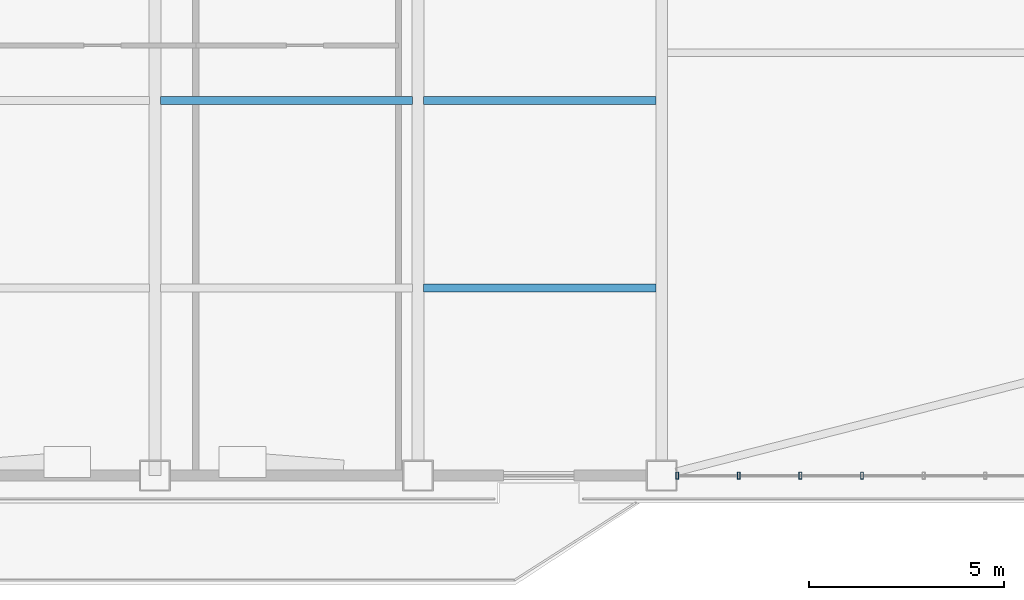
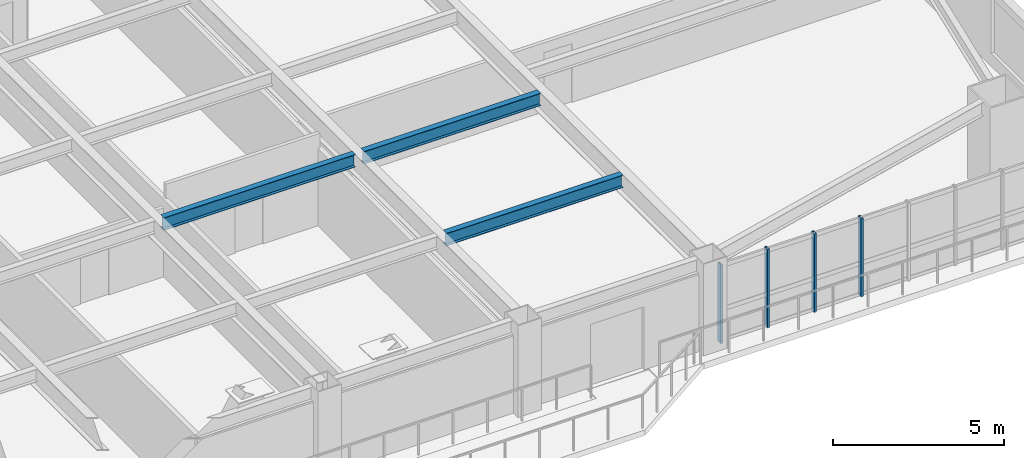
# One storey, part 4 of 15: 4 members, 3 beams, 1 element without a shape of its own.
"""IFC4 building model written with IfcOpenShell, lengths in metres."""

from ifc_helpers import new_model, si_unit, direction, frame, origin, origin_2d, place, context, subcontext, project, spatial, hollow_rectangle, i_section, extrude, source, transform, mapped, material, layer, layer_set, material_profile, profile_set, type_object, element, aggregate, save


model = new_model("IFC4")

# Units and contexts
model_context = context("Model", 3, precision=1e-05, world=origin(), true_north=direction((0.0, 1.0)))
body_context = subcontext(model_context, "Body", "Model", "MODEL_VIEW")
ifc_project = project(units=[si_unit("LENGTHUNIT", "METRE"), si_unit("AREAUNIT", "SQUARE_METRE"), si_unit("VOLUMEUNIT", "CUBIC_METRE"), si_unit("PLANEANGLEUNIT", "RADIAN"), si_unit("MASSUNIT", "GRAM", prefix="KILO")], contexts=[model_context])

# Site, building, storey
site_placement = place(None, origin())
site = spatial("IfcSite", under=ifc_project, at=site_placement, CompositionType="ELEMENT")
building_placement = place(site_placement, origin())
building = spatial("IfcBuilding", under=site, at=building_placement, Name="Giltprow Tower", CompositionType="ELEMENT")
storey_placement = place(building_placement, frame((0.0, 0.0, 152.699951171875)))
storey = spatial("IfcBuildingStorey", under=building, at=storey_placement, Name="L37", CompositionType="ELEMENT", Elevation=152.699951171875)

# Beams
ifc_material_1 = material(Name="Structural steel Q355B", Category="steel")
ifc_material_profile_1 = material_profile(ifc_material_1, i_section(OverallWidth=0.199951171875, OverallDepth=0.449951171875, WebThickness=0.009033203125, FlangeThickness=0.013916015625, at=origin_2d()), Name="HN 450x200x9x14")
ifc_profile_set_1 = profile_set([ifc_material_profile_1], Name="Structural steel Q355B")
beam_type = type_object("IfcBeamType", Name="BM-JOIST-HN450", PredefinedType="JOIST", material=ifc_profile_set_1)
shared_shape_1 = source(origin(), body_context, "Body", "SweptSolid", [
    extrude(i_section(OverallWidth=0.199951171875, OverallDepth=0.449951171875, WebThickness=0.009033203125, FlangeThickness=0.013916015625, at=origin_2d()), origin(), (0.0, 0.0, 1.0), 6.4599609375),
])
beam_placement = place(storey_placement, frame((37.695068359375, 18.197998046875, 3.045166015625), z_axis=(1.0, 0.0, 0.0), x_axis=(0.0, 1.0, 0.0)))
element("IfcBeam", 1, at=beam_placement, inside=storey, type_object=beam_type, Name="L37 Composite Floor Joist 2-3", PredefinedType="JOIST", context=body_context, shape_type="MappedRepresentation", body=[
    mapped(shared_shape_1, transform((0.0, 0.0, 0.0), x_axis=(1.0, 0.0, 0.0), y_axis=(0.0, 1.0, 0.0), z_axis=(0.0, 0.0, 1.0), scale=1.0)),
])
shared_shape_2 = source(origin(), body_context, "Body", "SweptSolid", [
    extrude(i_section(OverallWidth=0.199951171875, OverallDepth=0.449951171875, WebThickness=0.009033203125, FlangeThickness=0.013916015625, at=origin_2d()), origin(), (0.0, 0.0, 1.0), 5.9599609375),
])
for number, where, z_axis, x_axis, name in (
    (2, (44.445068359375, 13.385009765625, 3.045166015625), (1.0, 0.0, 0.0), (0.0, 1.0, 0.0), "L37 Composite Floor Joist 1-4"),
    (3, (44.445068359375, 18.197998046875, 3.045166015625), (1.0, 0.0, 0.0), (0.0, 1.0, 0.0), "L37 Composite Floor Joist 2-4"),
):
    element("IfcBeam", number, at=place(storey_placement, frame(where, z_axis=z_axis, x_axis=x_axis)), inside=storey, type_object=beam_type, Name=name, PredefinedType="JOIST", context=body_context, shape_type="MappedRepresentation", body=[
        mapped(shared_shape_2, transform((0.0, 0.0, 0.0), x_axis=(1.0, 0.0, 0.0), y_axis=(0.0, 1.0, 0.0), z_axis=(0.0, 0.0, 1.0), scale=1.0)),
    ])

# Curtain wall, members
ifc_material_2 = material(Name="Anodized bronze", Category="metal")
ifc_layer = layer(ifc_material_2, 0.179931640625, Name="Anodized bronze")
ifc_layer_set = layer_set([ifc_layer], Name="Anodized bronze")
curtain_wall_type = type_object("IfcCurtainWallType", Name="CW-HTL-BRONZE", PredefinedType="NOTDEFINED", material=ifc_layer_set)
curtain_wall_placement = place(storey_placement, origin())
curtain_wall = element("IfcCurtainWall", 4, at=curtain_wall_placement, inside=storey, type_object=curtain_wall_type, Name="L37 South Recessed Curtain Wall 6", PredefinedType="NOTDEFINED")
ifc_material_profile_2 = material_profile(ifc_material_2, hollow_rectangle(XDim=0.074951171875, YDim=0.179931640625, WallThickness=0.008056640625, at=origin_2d()), Name="RHS 180x75x8")
ifc_profile_set_2 = profile_set([ifc_material_profile_2], Name="Anodized bronze")
member_type = type_object("IfcMemberType", Name="CW-MULLION-180x75", PredefinedType="MULLION", material=ifc_profile_set_2)
shared_shape_3 = source(origin(), body_context, "Body", "SweptSolid", [
    extrude(hollow_rectangle(XDim=0.074951171875, YDim=0.179931640625, WallThickness=0.008056640625, at=origin_2d()), origin(), (0.0, 0.0, 1.0), 2.80517578125),
])
member_1_placement = place(storey_placement, frame((50.949951171875, 8.572021484375, -0.02001953125), z_axis=(0.0, 0.0, 1.0), x_axis=(1.0, 0.0, 0.0)))
member_1 = element("IfcMember", 5, at=member_1_placement, type_object=member_type, Name="L37 South Recessed Curtain Wall 6 Mullion 1", PredefinedType="MULLION", context=body_context, shape_type="MappedRepresentation", body=[
    mapped(shared_shape_3, transform((0.0, 0.0, 0.0), x_axis=(1.0, 0.0, 0.0), y_axis=(0.0, 1.0, 0.0), z_axis=(0.0, 0.0, 1.0), scale=1.0)),
])
member_2_placement = place(storey_placement, frame((52.530029296875, 8.572021484375, -0.02001953125), z_axis=(0.0, 0.0, 1.0), x_axis=(1.0, 0.0, 0.0)))
member_2 = element("IfcMember", 6, at=member_2_placement, type_object=member_type, Name="L37 South Recessed Curtain Wall 6 Mullion 2", PredefinedType="MULLION", context=body_context, shape_type="MappedRepresentation", body=[
    mapped(shared_shape_3, transform((0.0, 0.0, 0.0), x_axis=(1.0, 0.0, 0.0), y_axis=(0.0, 1.0, 0.0), z_axis=(0.0, 0.0, 1.0), scale=1.0)),
])
member_3_placement = place(storey_placement, frame((54.111083984375, 8.572021484375, -0.02001953125), z_axis=(0.0, 0.0, 1.0), x_axis=(1.0, 0.0, 0.0)))
member_3 = element("IfcMember", 7, at=member_3_placement, type_object=member_type, Name="L37 South Recessed Curtain Wall 6 Mullion 3", PredefinedType="MULLION", context=body_context, shape_type="MappedRepresentation", body=[
    mapped(shared_shape_3, transform((0.0, 0.0, 0.0), x_axis=(1.0, 0.0, 0.0), y_axis=(0.0, 1.0, 0.0), z_axis=(0.0, 0.0, 1.0), scale=1.0)),
])
member_4_placement = place(storey_placement, frame((55.69091796875, 8.572021484375, -0.02001953125), z_axis=(0.0, 0.0, 1.0), x_axis=(1.0, 0.0, 0.0)))
member_4 = element("IfcMember", 8, at=member_4_placement, type_object=member_type, Name="L37 South Recessed Curtain Wall 6 Mullion 4", PredefinedType="MULLION", context=body_context, shape_type="MappedRepresentation", body=[
    mapped(shared_shape_3, transform((0.0, 0.0, 0.0), x_axis=(1.0, 0.0, 0.0), y_axis=(0.0, 1.0, 0.0), z_axis=(0.0, 0.0, 1.0), scale=1.0)),
])
aggregate(curtain_wall, [member_1, member_2, member_3, member_4])

save(model, "model.ifc")
